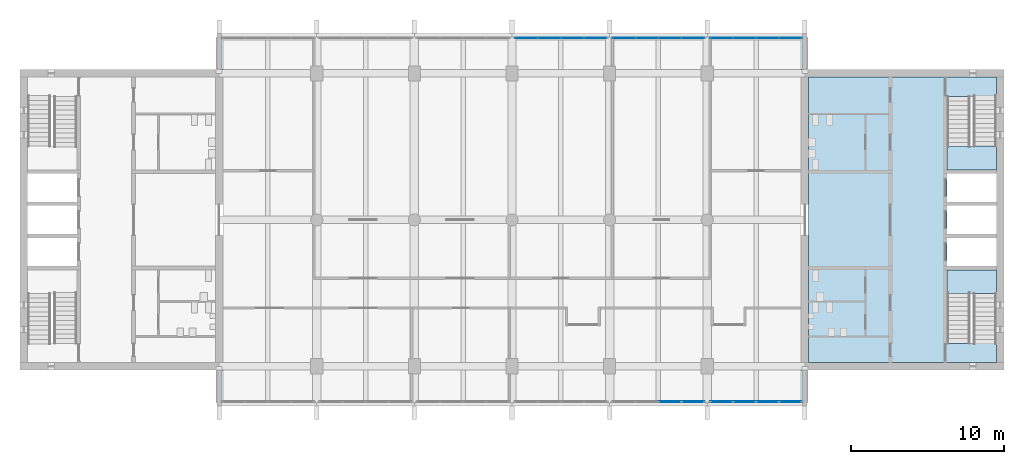
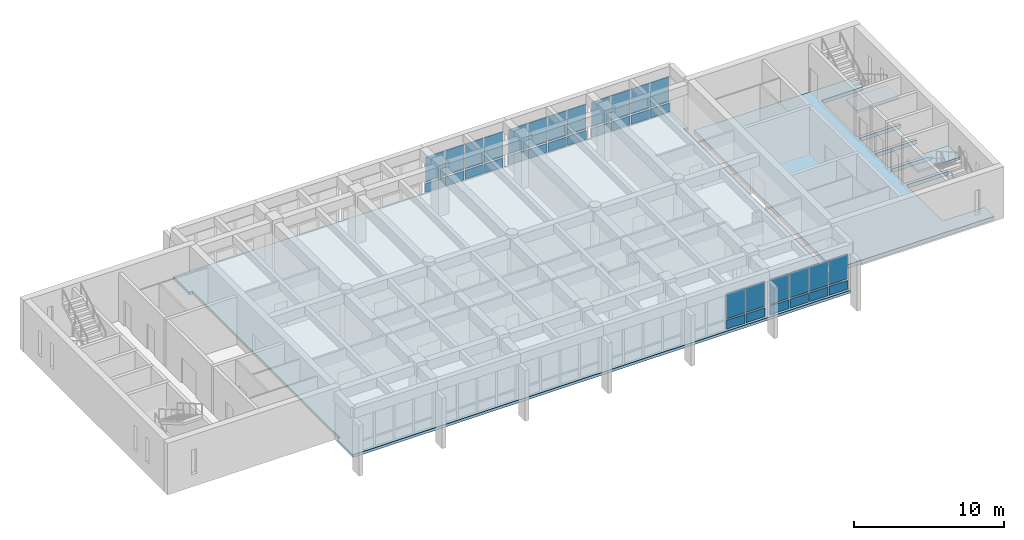
# One storey, part 8 of 15: 36 plates, 4 slabs, 7 elements without a shape of their own.
"""IFC4 building model written with IfcOpenShell, lengths in metres."""

from ifc_helpers import new_model, si_unit, direction, frame, origin, origin_2d, place, context, subcontext, project, spatial, polyline, rectangle, outline, extrude, material, layer, layer_set, type_object, element, aggregate, save


model = new_model("IFC4")

# Units and contexts
model_context = context("Model", 3, precision=1e-05, world=origin(), true_north=direction((0.0, 1.0)))
body_context = subcontext(model_context, "Body", "Model", "MODEL_VIEW")
ifc_project = project(units=[si_unit("LENGTHUNIT", "METRE"), si_unit("AREAUNIT", "SQUARE_METRE"), si_unit("VOLUMEUNIT", "CUBIC_METRE"), si_unit("PLANEANGLEUNIT", "RADIAN"), si_unit("MASSUNIT", "GRAM", prefix="KILO")], contexts=[model_context])

# Site, building, storey
site_placement = place(None, origin())
site = spatial("IfcSite", under=ifc_project, at=site_placement, CompositionType="ELEMENT")
building_placement = place(site_placement, origin())
building = spatial("IfcBuilding", under=site, at=building_placement, Name="Fogon Plaza Fire Station and Headquarters Tower", CompositionType="ELEMENT")
storey_placement = place(building_placement, frame((0.0, 0.0, 60.0)))
storey = spatial("IfcBuildingStorey", under=building, at=storey_placement, Name="L15", CompositionType="ELEMENT", Elevation=60.0)

# Slabs
ifc_material_1 = material(Name="Concrete C40", Category="concrete")
ifc_layer_1 = layer(ifc_material_1, 0.300048828125)
ifc_layer_set_1 = layer_set([ifc_layer_1], Name="Concrete C40")
slab_type_1 = type_object("IfcSlabType", Name="Core Floor Slab RC 300", PredefinedType="FLOOR", material=ifc_layer_set_1)
slab_1_placement = place(storey_placement, frame((0.0, 0.0, -0.300048828125)))
element("IfcSlab", 1, at=slab_1_placement, inside=storey, type_object=slab_type_1, Name="Core B floor", PredefinedType="FLOOR", context=body_context, shape_type="SweptSolid", body=[
    extrude(outline(polyline([(76.550048828125, 35.110107421875), (73.324951171875, 35.110107421875), (73.324951171875, 39.925048828125), (76.550048828125, 39.925048828125), (76.550048828125, 40.175048828125), (73.324951171875, 40.175048828125), (73.324951171875, 42.02490234375), (76.550048828125, 42.02490234375), (76.550048828125, 42.27490234375), (73.324951171875, 42.27490234375), (73.324951171875, 44.125), (76.550048828125, 44.125), (76.550048828125, 44.375), (73.324951171875, 44.375), (73.324951171875, 46.22509765625), (76.550048828125, 46.22509765625), (76.550048828125, 46.47509765625), (73.324951171875, 46.47509765625), (73.324951171875, 51.2900390625), (76.550048828125, 51.2900390625), (76.550048828125, 52.550048828125), (64.25, 52.550048828125), (64.25, 33.85009765625), (76.550048828125, 33.85009765625), (76.550048828125, 35.110107421875)])), origin(), (0.0, 0.0, 1.0), 0.300048828125),
])
ifc_material_2 = material(Name="Concrete C40", Category="concrete")
ifc_layer_2 = layer(ifc_material_2, 0.219970703125)
ifc_layer_set_2 = layer_set([ifc_layer_2], Name="Concrete C40")
slab_type_2 = type_object("IfcSlabType", Name="Floor slab 220 S22", PredefinedType="FLOOR", material=ifc_layer_set_2)
slab_2_placement = place(storey_placement, frame((0.0, 0.0, -0.219970703125)))
element("IfcSlab", 2, at=slab_2_placement, inside=storey, type_object=slab_type_2, Name="slab-L15-bar", PredefinedType="FLOOR", context=body_context, shape_type="SweptSolid", body=[
    extrude(outline(polyline([(64.0, 31.199951171875), (25.60009765625, 31.199951171875), (25.60009765625, 33.35009765625), (25.85009765625, 33.35009765625), (25.85009765625, 53.050048828125), (25.60009765625, 53.050048828125), (25.60009765625, 55.199951171875), (64.0, 55.199951171875), (64.0, 53.050048828125), (63.75, 53.050048828125), (63.75, 33.35009765625), (64.0, 33.35009765625), (64.0, 31.199951171875)])), origin(), (0.0, 0.0, 1.0), 0.219970703125),
])

# Curtain wall, plates
ifc_material_3 = material(Name="Aluminium and glass", Category="aluminium")
ifc_layer_3 = layer(ifc_material_3, 0.14990234375)
ifc_layer_set_3 = layer_set([ifc_layer_3], Name="Aluminium and glass")
curtain_wall_type = type_object("IfcCurtainWallType", Name="Unitised Curtain Wall Run 6100x3100", PredefinedType="NOTDEFINED", material=ifc_layer_set_3)
curtain_wall_1_placement = place(storey_placement, origin())
curtain_wall_1 = element("IfcCurtainWall", 3, at=curtain_wall_1_placement, inside=storey, type_object=curtain_wall_type, Name="CW-6100x3100 S5 L15", PredefinedType="NOTDEFINED")
ifc_material_4 = material(Name="Insulated aluminium spandrel", Category="aluminium")
ifc_layer_4 = layer(ifc_material_4, 0.06005859375)
ifc_layer_set_4 = layer_set([ifc_layer_4], Name="Insulated aluminium spandrel")
plate_type_1 = type_object("IfcPlateType", Name="Insulated Spandrel Panel", PredefinedType="CURTAIN_PANEL", material=ifc_layer_set_4)
plate_1_placement = place(storey_placement, frame((55.155029296875, 31.280029296875, 0.1201171875), z_axis=(0.0, 0.0, 1.0), x_axis=(1.0, 0.0, 0.0)))
plate_1 = element("IfcPlate", 4, at=plate_1_placement, type_object=plate_type_1, Name="SP1 panel 3.1", PredefinedType="CURTAIN_PANEL", context=body_context, shape_type="SweptSolid", body=[
    extrude(rectangle(XDim=1.449951171875, YDim=0.06005859375, at=origin_2d()), origin(), (0.0, 0.0, 1.0), 0.719970703125),
])
plate_2_placement = place(storey_placement, frame((56.6650390625, 31.280029296875, 0.1201171875), z_axis=(0.0, 0.0, 1.0), x_axis=(1.0, 0.0, 0.0)))
plate_2 = element("IfcPlate", 5, at=plate_2_placement, type_object=plate_type_1, Name="SP1 panel 4.1", PredefinedType="CURTAIN_PANEL", context=body_context, shape_type="SweptSolid", body=[
    extrude(rectangle(XDim=1.449951171875, YDim=0.06005859375, at=origin_2d()), origin(), (0.0, 0.0, 1.0), 0.719970703125),
])

curtain_wall_2_placement = place(storey_placement, origin())
curtain_wall_2 = element("IfcCurtainWall", 6, at=curtain_wall_2_placement, inside=storey, type_object=curtain_wall_type, Name="CW-6100x3100 S6 L15", PredefinedType="NOTDEFINED")
plate_3_placement = place(storey_placement, frame((58.534912109375, 31.280029296875, 0.1201171875), z_axis=(0.0, 0.0, 1.0), x_axis=(1.0, 0.0, 0.0)))
plate_3 = element("IfcPlate", 7, at=plate_3_placement, type_object=plate_type_1, Name="SP1 panel 1.1", PredefinedType="CURTAIN_PANEL", context=body_context, shape_type="SweptSolid", body=[
    extrude(rectangle(XDim=1.449951171875, YDim=0.06005859375, at=origin_2d()), origin(), (0.0, 0.0, 1.0), 0.719970703125),
])
plate_4_placement = place(storey_placement, frame((60.044921875, 31.280029296875, 0.1201171875), z_axis=(0.0, 0.0, 1.0), x_axis=(1.0, 0.0, 0.0)))
plate_4 = element("IfcPlate", 8, at=plate_4_placement, type_object=plate_type_1, Name="SP1 panel 2.1", PredefinedType="CURTAIN_PANEL", context=body_context, shape_type="SweptSolid", body=[
    extrude(rectangle(XDim=1.449951171875, YDim=0.06005859375, at=origin_2d()), origin(), (0.0, 0.0, 1.0), 0.719970703125),
])
plate_5_placement = place(storey_placement, frame((61.554931640625, 31.280029296875, 0.1201171875), z_axis=(0.0, 0.0, 1.0), x_axis=(1.0, 0.0, 0.0)))
plate_5 = element("IfcPlate", 9, at=plate_5_placement, type_object=plate_type_1, Name="SP1 panel 3.1", PredefinedType="CURTAIN_PANEL", context=body_context, shape_type="SweptSolid", body=[
    extrude(rectangle(XDim=1.449951171875, YDim=0.06005859375, at=origin_2d()), origin(), (0.0, 0.0, 1.0), 0.719970703125),
])
plate_6_placement = place(storey_placement, frame((63.06494140625, 31.280029296875, 0.1201171875), z_axis=(0.0, 0.0, 1.0), x_axis=(1.0, 0.0, 0.0)))
plate_6 = element("IfcPlate", 10, at=plate_6_placement, type_object=plate_type_1, Name="SP1 panel 4.1", PredefinedType="CURTAIN_PANEL", context=body_context, shape_type="SweptSolid", body=[
    extrude(rectangle(XDim=1.449951171875, YDim=0.06005859375, at=origin_2d()), origin(), (0.0, 0.0, 1.0), 0.719970703125),
])

curtain_wall_3_placement = place(storey_placement, origin())
curtain_wall_3 = element("IfcCurtainWall", 11, at=curtain_wall_3_placement, inside=storey, type_object=curtain_wall_type, Name="CW-6100x3100 N4 L15", PredefinedType="NOTDEFINED")
plate_7_placement = place(storey_placement, frame((45.735107421875, 55.1201171875, 0.1201171875), z_axis=(0.0, 0.0, 1.0), x_axis=(1.0, 0.0, 0.0)))
plate_7 = element("IfcPlate", 12, at=plate_7_placement, type_object=plate_type_1, Name="SP1 panel 1.1", PredefinedType="CURTAIN_PANEL", context=body_context, shape_type="SweptSolid", body=[
    extrude(rectangle(XDim=1.449951171875, YDim=0.06005859375, at=origin_2d()), origin(), (0.0, 0.0, 1.0), 0.719970703125),
])
plate_8_placement = place(storey_placement, frame((47.2451171875, 55.1201171875, 0.1201171875), z_axis=(0.0, 0.0, 1.0), x_axis=(1.0, 0.0, 0.0)))
plate_8 = element("IfcPlate", 13, at=plate_8_placement, type_object=plate_type_1, Name="SP1 panel 2.1", PredefinedType="CURTAIN_PANEL", context=body_context, shape_type="SweptSolid", body=[
    extrude(rectangle(XDim=1.449951171875, YDim=0.06005859375, at=origin_2d()), origin(), (0.0, 0.0, 1.0), 0.719970703125),
])
plate_9_placement = place(storey_placement, frame((48.7548828125, 55.1201171875, 0.1201171875), z_axis=(0.0, 0.0, 1.0), x_axis=(1.0, 0.0, 0.0)))
plate_9 = element("IfcPlate", 14, at=plate_9_placement, type_object=plate_type_1, Name="SP1 panel 3.1", PredefinedType="CURTAIN_PANEL", context=body_context, shape_type="SweptSolid", body=[
    extrude(rectangle(XDim=1.449951171875, YDim=0.06005859375, at=origin_2d()), origin(), (0.0, 0.0, 1.0), 0.719970703125),
])
plate_10_placement = place(storey_placement, frame((50.264892578125, 55.1201171875, 0.1201171875), z_axis=(0.0, 0.0, 1.0), x_axis=(1.0, 0.0, 0.0)))
plate_10 = element("IfcPlate", 15, at=plate_10_placement, type_object=plate_type_1, Name="SP1 panel 4.1", PredefinedType="CURTAIN_PANEL", context=body_context, shape_type="SweptSolid", body=[
    extrude(rectangle(XDim=1.449951171875, YDim=0.06005859375, at=origin_2d()), origin(), (0.0, 0.0, 1.0), 0.719970703125),
])

curtain_wall_4_placement = place(storey_placement, origin())
curtain_wall_4 = element("IfcCurtainWall", 16, at=curtain_wall_4_placement, inside=storey, type_object=curtain_wall_type, Name="CW-6100x3100 N5 L15", PredefinedType="NOTDEFINED")
plate_11_placement = place(storey_placement, frame((52.135009765625, 55.1201171875, 0.1201171875), z_axis=(0.0, 0.0, 1.0), x_axis=(1.0, 0.0, 0.0)))
plate_11 = element("IfcPlate", 17, at=plate_11_placement, type_object=plate_type_1, Name="SP1 panel 1.1", PredefinedType="CURTAIN_PANEL", context=body_context, shape_type="SweptSolid", body=[
    extrude(rectangle(XDim=1.449951171875, YDim=0.06005859375, at=origin_2d()), origin(), (0.0, 0.0, 1.0), 0.719970703125),
])
plate_12_placement = place(storey_placement, frame((53.64501953125, 55.1201171875, 0.1201171875), z_axis=(0.0, 0.0, 1.0), x_axis=(1.0, 0.0, 0.0)))
plate_12 = element("IfcPlate", 18, at=plate_12_placement, type_object=plate_type_1, Name="SP1 panel 2.1", PredefinedType="CURTAIN_PANEL", context=body_context, shape_type="SweptSolid", body=[
    extrude(rectangle(XDim=1.449951171875, YDim=0.06005859375, at=origin_2d()), origin(), (0.0, 0.0, 1.0), 0.719970703125),
])
plate_13_placement = place(storey_placement, frame((55.155029296875, 55.1201171875, 0.1201171875), z_axis=(0.0, 0.0, 1.0), x_axis=(1.0, 0.0, 0.0)))
plate_13 = element("IfcPlate", 19, at=plate_13_placement, type_object=plate_type_1, Name="SP1 panel 3.1", PredefinedType="CURTAIN_PANEL", context=body_context, shape_type="SweptSolid", body=[
    extrude(rectangle(XDim=1.449951171875, YDim=0.06005859375, at=origin_2d()), origin(), (0.0, 0.0, 1.0), 0.719970703125),
])
plate_14_placement = place(storey_placement, frame((56.6650390625, 55.1201171875, 0.1201171875), z_axis=(0.0, 0.0, 1.0), x_axis=(1.0, 0.0, 0.0)))
plate_14 = element("IfcPlate", 20, at=plate_14_placement, type_object=plate_type_1, Name="SP1 panel 4.1", PredefinedType="CURTAIN_PANEL", context=body_context, shape_type="SweptSolid", body=[
    extrude(rectangle(XDim=1.449951171875, YDim=0.06005859375, at=origin_2d()), origin(), (0.0, 0.0, 1.0), 0.719970703125),
])

curtain_wall_5_placement = place(storey_placement, origin())
curtain_wall_5 = element("IfcCurtainWall", 21, at=curtain_wall_5_placement, inside=storey, type_object=curtain_wall_type, Name="CW-6100x3100 N6 L15", PredefinedType="NOTDEFINED")
plate_15_placement = place(storey_placement, frame((58.534912109375, 55.1201171875, 0.1201171875), z_axis=(0.0, 0.0, 1.0), x_axis=(1.0, 0.0, 0.0)))
plate_15 = element("IfcPlate", 22, at=plate_15_placement, type_object=plate_type_1, Name="SP1 panel 1.1", PredefinedType="CURTAIN_PANEL", context=body_context, shape_type="SweptSolid", body=[
    extrude(rectangle(XDim=1.449951171875, YDim=0.06005859375, at=origin_2d()), origin(), (0.0, 0.0, 1.0), 0.719970703125),
])
plate_16_placement = place(storey_placement, frame((60.044921875, 55.1201171875, 0.1201171875), z_axis=(0.0, 0.0, 1.0), x_axis=(1.0, 0.0, 0.0)))
plate_16 = element("IfcPlate", 23, at=plate_16_placement, type_object=plate_type_1, Name="SP1 panel 2.1", PredefinedType="CURTAIN_PANEL", context=body_context, shape_type="SweptSolid", body=[
    extrude(rectangle(XDim=1.449951171875, YDim=0.06005859375, at=origin_2d()), origin(), (0.0, 0.0, 1.0), 0.719970703125),
])
plate_17_placement = place(storey_placement, frame((61.554931640625, 55.1201171875, 0.1201171875), z_axis=(0.0, 0.0, 1.0), x_axis=(1.0, 0.0, 0.0)))
plate_17 = element("IfcPlate", 24, at=plate_17_placement, type_object=plate_type_1, Name="SP1 panel 3.1", PredefinedType="CURTAIN_PANEL", context=body_context, shape_type="SweptSolid", body=[
    extrude(rectangle(XDim=1.449951171875, YDim=0.06005859375, at=origin_2d()), origin(), (0.0, 0.0, 1.0), 0.719970703125),
])
plate_18_placement = place(storey_placement, frame((63.06494140625, 55.1201171875, 0.1201171875), z_axis=(0.0, 0.0, 1.0), x_axis=(1.0, 0.0, 0.0)))
plate_18 = element("IfcPlate", 25, at=plate_18_placement, type_object=plate_type_1, Name="SP1 panel 4.1", PredefinedType="CURTAIN_PANEL", context=body_context, shape_type="SweptSolid", body=[
    extrude(rectangle(XDim=1.449951171875, YDim=0.06005859375, at=origin_2d()), origin(), (0.0, 0.0, 1.0), 0.719970703125),
])

# Stair, slab
ifc_material_5 = material(Name="Concrete C40", Category="concrete")
stair_type = type_object("IfcStairType", Name="Exit Stair Two Flights", PredefinedType="TWO_STRAIGHT_RUN_STAIR", material=ifc_material_5)
stair_1_placement = place(storey_placement, origin())
stair_1 = element("IfcStair", 26, at=stair_1_placement, inside=storey, type_object=stair_type, Name="Stair ST3", PredefinedType="TWO_STRAIGHT_RUN_STAIR")
ifc_material_6 = material(Name="Concrete C40", Category="concrete")
ifc_layer_5 = layer(ifc_material_6, 0.300048828125)
ifc_layer_set_5 = layer_set([ifc_layer_5], Name="Concrete C40")
slab_type_3 = type_object("IfcSlabType", Name="Stair Landing RC 300", PredefinedType="LANDING", material=ifc_layer_set_5)
slab_3_placement = place(storey_placement, frame((0.0, 0.0, 1.89990234375)))
slab_3 = element("IfcSlab", 27, at=slab_3_placement, type_object=slab_type_3, Name="ST3 landing L17", PredefinedType="LANDING", context=body_context, shape_type="SweptSolid", body=[
    extrude(outline(polyline([(73.324951171875, 38.375), (76.550048828125, 38.375), (76.550048828125, 39.925048828125), (73.324951171875, 39.925048828125), (73.324951171875, 38.375)])), origin(), (0.0, 0.0, 1.0), 0.2001953125),
])
aggregate(stair_1, [slab_3])

stair_2_placement = place(storey_placement, origin())
stair_2 = element("IfcStair", 28, at=stair_2_placement, inside=storey, type_object=stair_type, Name="Stair ST4", PredefinedType="TWO_STRAIGHT_RUN_STAIR")
slab_4_placement = place(storey_placement, frame((0.0, 0.0, 1.89990234375)))
slab_4 = element("IfcSlab", 29, at=slab_4_placement, type_object=slab_type_3, Name="ST4 landing L17", PredefinedType="LANDING", context=body_context, shape_type="SweptSolid", body=[
    extrude(outline(polyline([(73.324951171875, 46.47509765625), (76.550048828125, 46.47509765625), (76.550048828125, 48.02490234375), (73.324951171875, 48.02490234375), (73.324951171875, 46.47509765625)])), origin(), (0.0, 0.0, 1.0), 0.2001953125),
])
aggregate(stair_2, [slab_4])

# Plate
ifc_material_7 = material(Name="Low-e double glazing", Category="glass")
ifc_layer_6 = layer(ifc_material_7, 0.028076171875)
ifc_layer_set_6 = layer_set([ifc_layer_6], Name="Low-e double glazing")
plate_type_2 = type_object("IfcPlateType", Name="Vision Glass Panel 1450x2020", PredefinedType="CURTAIN_PANEL", material=ifc_layer_set_6)
plate_19_placement = place(storey_placement, frame((55.155029296875, 31.280029296875, 0.9599609375), z_axis=(0.0, 0.0, 1.0), x_axis=(1.0, 0.0, 0.0)))
plate_19 = element("IfcPlate", 30, at=plate_19_placement, type_object=plate_type_2, Name="VG-1450x2020 panel 3.2", PredefinedType="CURTAIN_PANEL", context=body_context, shape_type="SweptSolid", body=[
    extrude(rectangle(XDim=1.449951171875, YDim=0.028076171875, at=origin_2d()), origin(), (0.0, 0.0, 1.0), 2.02001953125),
])

plate_20_placement = place(storey_placement, frame((56.6650390625, 31.280029296875, 0.9599609375), z_axis=(0.0, 0.0, 1.0), x_axis=(1.0, 0.0, 0.0)))
plate_20 = element("IfcPlate", 31, at=plate_20_placement, type_object=plate_type_2, Name="VG-1450x2020 panel 4.2", PredefinedType="CURTAIN_PANEL", context=body_context, shape_type="SweptSolid", body=[
    extrude(rectangle(XDim=1.449951171875, YDim=0.028076171875, at=origin_2d()), origin(), (0.0, 0.0, 1.0), 2.02001953125),
])

aggregate(curtain_wall_1, [plate_1, plate_19, plate_2, plate_20])

plate_21_placement = place(storey_placement, frame((58.534912109375, 31.280029296875, 0.9599609375), z_axis=(0.0, 0.0, 1.0), x_axis=(1.0, 0.0, 0.0)))
plate_21 = element("IfcPlate", 32, at=plate_21_placement, type_object=plate_type_2, Name="VG-1450x2020 panel 1.2", PredefinedType="CURTAIN_PANEL", context=body_context, shape_type="SweptSolid", body=[
    extrude(rectangle(XDim=1.449951171875, YDim=0.028076171875, at=origin_2d()), origin(), (0.0, 0.0, 1.0), 2.02001953125),
])

plate_22_placement = place(storey_placement, frame((60.044921875, 31.280029296875, 0.9599609375), z_axis=(0.0, 0.0, 1.0), x_axis=(1.0, 0.0, 0.0)))
plate_22 = element("IfcPlate", 33, at=plate_22_placement, type_object=plate_type_2, Name="VG-1450x2020 panel 2.2", PredefinedType="CURTAIN_PANEL", context=body_context, shape_type="SweptSolid", body=[
    extrude(rectangle(XDim=1.449951171875, YDim=0.028076171875, at=origin_2d()), origin(), (0.0, 0.0, 1.0), 2.02001953125),
])

plate_23_placement = place(storey_placement, frame((61.554931640625, 31.280029296875, 0.9599609375), z_axis=(0.0, 0.0, 1.0), x_axis=(1.0, 0.0, 0.0)))
plate_23 = element("IfcPlate", 34, at=plate_23_placement, type_object=plate_type_2, Name="VG-1450x2020 panel 3.2", PredefinedType="CURTAIN_PANEL", context=body_context, shape_type="SweptSolid", body=[
    extrude(rectangle(XDim=1.449951171875, YDim=0.028076171875, at=origin_2d()), origin(), (0.0, 0.0, 1.0), 2.02001953125),
])

plate_24_placement = place(storey_placement, frame((63.06494140625, 31.280029296875, 0.9599609375), z_axis=(0.0, 0.0, 1.0), x_axis=(1.0, 0.0, 0.0)))
plate_24 = element("IfcPlate", 35, at=plate_24_placement, type_object=plate_type_2, Name="VG-1450x2020 panel 4.2", PredefinedType="CURTAIN_PANEL", context=body_context, shape_type="SweptSolid", body=[
    extrude(rectangle(XDim=1.449951171875, YDim=0.028076171875, at=origin_2d()), origin(), (0.0, 0.0, 1.0), 2.02001953125),
])

aggregate(curtain_wall_2, [plate_3, plate_21, plate_4, plate_22, plate_5, plate_23, plate_6, plate_24])

plate_25_placement = place(storey_placement, frame((45.735107421875, 55.1201171875, 0.9599609375), z_axis=(0.0, 0.0, 1.0), x_axis=(1.0, 0.0, 0.0)))
plate_25 = element("IfcPlate", 36, at=plate_25_placement, type_object=plate_type_2, Name="VG-1450x2020 panel 1.2", PredefinedType="CURTAIN_PANEL", context=body_context, shape_type="SweptSolid", body=[
    extrude(rectangle(XDim=1.449951171875, YDim=0.028076171875, at=origin_2d()), origin(), (0.0, 0.0, 1.0), 2.02001953125),
])

plate_26_placement = place(storey_placement, frame((47.2451171875, 55.1201171875, 0.9599609375), z_axis=(0.0, 0.0, 1.0), x_axis=(1.0, 0.0, 0.0)))
plate_26 = element("IfcPlate", 37, at=plate_26_placement, type_object=plate_type_2, Name="VG-1450x2020 panel 2.2", PredefinedType="CURTAIN_PANEL", context=body_context, shape_type="SweptSolid", body=[
    extrude(rectangle(XDim=1.449951171875, YDim=0.028076171875, at=origin_2d()), origin(), (0.0, 0.0, 1.0), 2.02001953125),
])

plate_27_placement = place(storey_placement, frame((48.7548828125, 55.1201171875, 0.9599609375), z_axis=(0.0, 0.0, 1.0), x_axis=(1.0, 0.0, 0.0)))
plate_27 = element("IfcPlate", 38, at=plate_27_placement, type_object=plate_type_2, Name="VG-1450x2020 panel 3.2", PredefinedType="CURTAIN_PANEL", context=body_context, shape_type="SweptSolid", body=[
    extrude(rectangle(XDim=1.449951171875, YDim=0.028076171875, at=origin_2d()), origin(), (0.0, 0.0, 1.0), 2.02001953125),
])

plate_28_placement = place(storey_placement, frame((50.264892578125, 55.1201171875, 0.9599609375), z_axis=(0.0, 0.0, 1.0), x_axis=(1.0, 0.0, 0.0)))
plate_28 = element("IfcPlate", 39, at=plate_28_placement, type_object=plate_type_2, Name="VG-1450x2020 panel 4.2", PredefinedType="CURTAIN_PANEL", context=body_context, shape_type="SweptSolid", body=[
    extrude(rectangle(XDim=1.449951171875, YDim=0.028076171875, at=origin_2d()), origin(), (0.0, 0.0, 1.0), 2.02001953125),
])

aggregate(curtain_wall_3, [plate_7, plate_25, plate_8, plate_26, plate_9, plate_27, plate_10, plate_28])

plate_29_placement = place(storey_placement, frame((52.135009765625, 55.1201171875, 0.9599609375), z_axis=(0.0, 0.0, 1.0), x_axis=(1.0, 0.0, 0.0)))
plate_29 = element("IfcPlate", 40, at=plate_29_placement, type_object=plate_type_2, Name="VG-1450x2020 panel 1.2", PredefinedType="CURTAIN_PANEL", context=body_context, shape_type="SweptSolid", body=[
    extrude(rectangle(XDim=1.449951171875, YDim=0.028076171875, at=origin_2d()), origin(), (0.0, 0.0, 1.0), 2.02001953125),
])

plate_30_placement = place(storey_placement, frame((53.64501953125, 55.1201171875, 0.9599609375), z_axis=(0.0, 0.0, 1.0), x_axis=(1.0, 0.0, 0.0)))
plate_30 = element("IfcPlate", 41, at=plate_30_placement, type_object=plate_type_2, Name="VG-1450x2020 panel 2.2", PredefinedType="CURTAIN_PANEL", context=body_context, shape_type="SweptSolid", body=[
    extrude(rectangle(XDim=1.449951171875, YDim=0.028076171875, at=origin_2d()), origin(), (0.0, 0.0, 1.0), 2.02001953125),
])

plate_31_placement = place(storey_placement, frame((55.155029296875, 55.1201171875, 0.9599609375), z_axis=(0.0, 0.0, 1.0), x_axis=(1.0, 0.0, 0.0)))
plate_31 = element("IfcPlate", 42, at=plate_31_placement, type_object=plate_type_2, Name="VG-1450x2020 panel 3.2", PredefinedType="CURTAIN_PANEL", context=body_context, shape_type="SweptSolid", body=[
    extrude(rectangle(XDim=1.449951171875, YDim=0.028076171875, at=origin_2d()), origin(), (0.0, 0.0, 1.0), 2.02001953125),
])

plate_32_placement = place(storey_placement, frame((56.6650390625, 55.1201171875, 0.9599609375), z_axis=(0.0, 0.0, 1.0), x_axis=(1.0, 0.0, 0.0)))
plate_32 = element("IfcPlate", 43, at=plate_32_placement, type_object=plate_type_2, Name="VG-1450x2020 panel 4.2", PredefinedType="CURTAIN_PANEL", context=body_context, shape_type="SweptSolid", body=[
    extrude(rectangle(XDim=1.449951171875, YDim=0.028076171875, at=origin_2d()), origin(), (0.0, 0.0, 1.0), 2.02001953125),
])

aggregate(curtain_wall_4, [plate_11, plate_29, plate_12, plate_30, plate_13, plate_31, plate_14, plate_32])

plate_33_placement = place(storey_placement, frame((58.534912109375, 55.1201171875, 0.9599609375), z_axis=(0.0, 0.0, 1.0), x_axis=(1.0, 0.0, 0.0)))
plate_33 = element("IfcPlate", 44, at=plate_33_placement, type_object=plate_type_2, Name="VG-1450x2020 panel 1.2", PredefinedType="CURTAIN_PANEL", context=body_context, shape_type="SweptSolid", body=[
    extrude(rectangle(XDim=1.449951171875, YDim=0.028076171875, at=origin_2d()), origin(), (0.0, 0.0, 1.0), 2.02001953125),
])

plate_34_placement = place(storey_placement, frame((60.044921875, 55.1201171875, 0.9599609375), z_axis=(0.0, 0.0, 1.0), x_axis=(1.0, 0.0, 0.0)))
plate_34 = element("IfcPlate", 45, at=plate_34_placement, type_object=plate_type_2, Name="VG-1450x2020 panel 2.2", PredefinedType="CURTAIN_PANEL", context=body_context, shape_type="SweptSolid", body=[
    extrude(rectangle(XDim=1.449951171875, YDim=0.028076171875, at=origin_2d()), origin(), (0.0, 0.0, 1.0), 2.02001953125),
])

plate_35_placement = place(storey_placement, frame((61.554931640625, 55.1201171875, 0.9599609375), z_axis=(0.0, 0.0, 1.0), x_axis=(1.0, 0.0, 0.0)))
plate_35 = element("IfcPlate", 46, at=plate_35_placement, type_object=plate_type_2, Name="VG-1450x2020 panel 3.2", PredefinedType="CURTAIN_PANEL", context=body_context, shape_type="SweptSolid", body=[
    extrude(rectangle(XDim=1.449951171875, YDim=0.028076171875, at=origin_2d()), origin(), (0.0, 0.0, 1.0), 2.02001953125),
])

plate_36_placement = place(storey_placement, frame((63.06494140625, 55.1201171875, 0.9599609375), z_axis=(0.0, 0.0, 1.0), x_axis=(1.0, 0.0, 0.0)))
plate_36 = element("IfcPlate", 47, at=plate_36_placement, type_object=plate_type_2, Name="VG-1450x2020 panel 4.2", PredefinedType="CURTAIN_PANEL", context=body_context, shape_type="SweptSolid", body=[
    extrude(rectangle(XDim=1.449951171875, YDim=0.028076171875, at=origin_2d()), origin(), (0.0, 0.0, 1.0), 2.02001953125),
])

aggregate(curtain_wall_5, [plate_15, plate_33, plate_16, plate_34, plate_17, plate_35, plate_18, plate_36])

save(model, "model.ifc")
